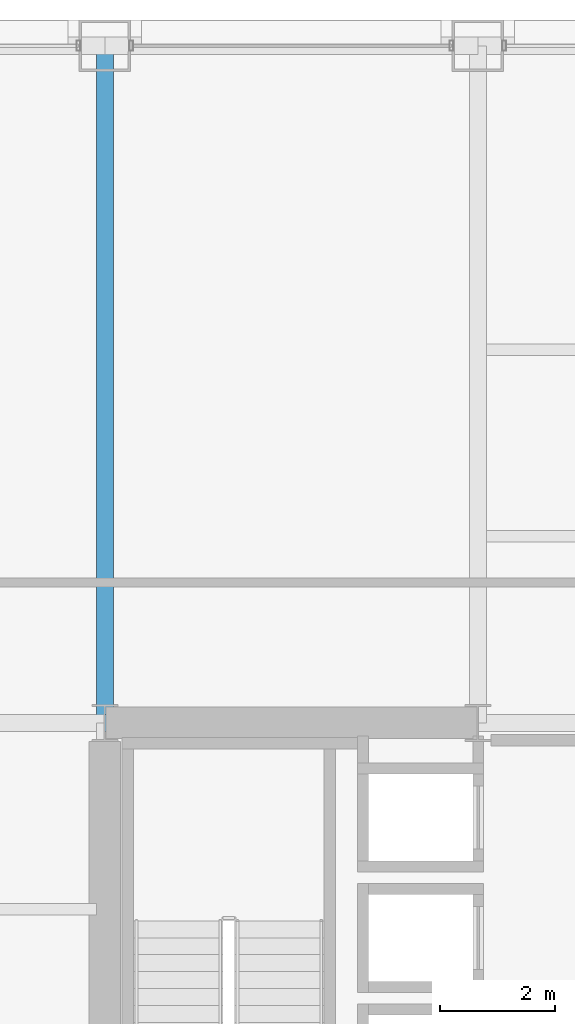
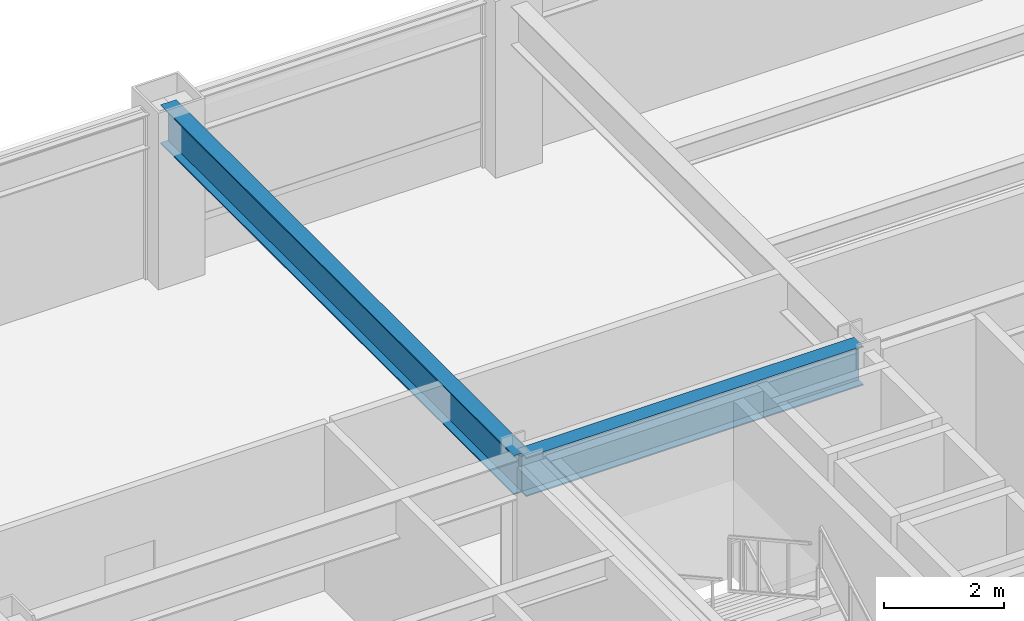
# One storey, part 16 of 29: 2 beams.
"""IFC4 building model written with IfcOpenShell, lengths in metres."""

from ifc_helpers import new_model, si_unit, direction, frame, origin, origin_2d, place, context, subcontext, project, spatial, i_section, extrude, material, material_profile, profile_set, type_object, element, save


model = new_model("IFC4")

# Units and contexts
model_context = context("Model", 3, precision=1e-05, world=origin(), true_north=direction((0.0, 1.0)))
body_context = subcontext(model_context, "Body", "Model", "MODEL_VIEW")
ifc_project = project(units=[si_unit("LENGTHUNIT", "METRE"), si_unit("AREAUNIT", "SQUARE_METRE"), si_unit("VOLUMEUNIT", "CUBIC_METRE"), si_unit("PLANEANGLEUNIT", "RADIAN"), si_unit("MASSUNIT", "GRAM", prefix="KILO")], contexts=[model_context])

# Site, building, storey
site_placement = place(None, origin())
site = spatial("IfcSite", under=ifc_project, at=site_placement, CompositionType="ELEMENT")
building_placement = place(site_placement, origin())
building = spatial("IfcBuilding", under=site, at=building_placement, Name="Brelmoor Portico Tower", CompositionType="ELEMENT")
storey_placement = place(building_placement, frame((0.0, 0.0, 60.0)))
storey = spatial("IfcBuildingStorey", under=building, at=storey_placement, Name="L15", CompositionType="ELEMENT", Elevation=60.0)

# Beams
ifc_material = material(Name="Steel Q355B", Category="steel")
ifc_material_profile = material_profile(ifc_material, i_section(OverallWidth=0.300048828125, OverallDepth=0.800048828125, WebThickness=0.013916015625, FlangeThickness=0.02587890625, at=origin_2d()), Name="HN 800x300x14x26")
ifc_profile_set = profile_set([ifc_material_profile], Name="Steel Q355B")
beam_type = type_object("IfcBeamType", Name="BM-PG-800", PredefinedType="BEAM", material=ifc_profile_set)
beam_1_placement = place(storey_placement, frame((-14.550048828125, 9.75, 3.0), z_axis=(0.0, 1.0, 0.0), x_axis=(-1.0, 0.0, 0.0)))
element("IfcBeam", 1, at=beam_1_placement, inside=storey, type_object=beam_type, Name="L15 Primary Floor Girder PG-06", PredefinedType="BEAM", context=body_context, shape_type="SweptSolid", body=[
    extrude(i_section(OverallWidth=0.300048828125, OverallDepth=0.800048828125, WebThickness=0.013916015625, FlangeThickness=0.02587890625, at=origin_2d()), origin(), (0.0, 0.0, 1.0), 11.800048828125),
])
beam_2_placement = place(storey_placement, frame((-14.550048828125, 9.75, 3.0), z_axis=(1.0, 0.0, 0.0), x_axis=(0.0, 1.0, 0.0)))
element("IfcBeam", 2, at=beam_2_placement, inside=storey, type_object=beam_type, Name="L15 Primary Floor Girder PG-28", PredefinedType="BEAM", context=body_context, shape_type="SweptSolid", body=[
    extrude(i_section(OverallWidth=0.300048828125, OverallDepth=0.800048828125, WebThickness=0.013916015625, FlangeThickness=0.02587890625, at=origin_2d()), origin(), (0.0, 0.0, 1.0), 6.5),
])

save(model, "model.ifc")
